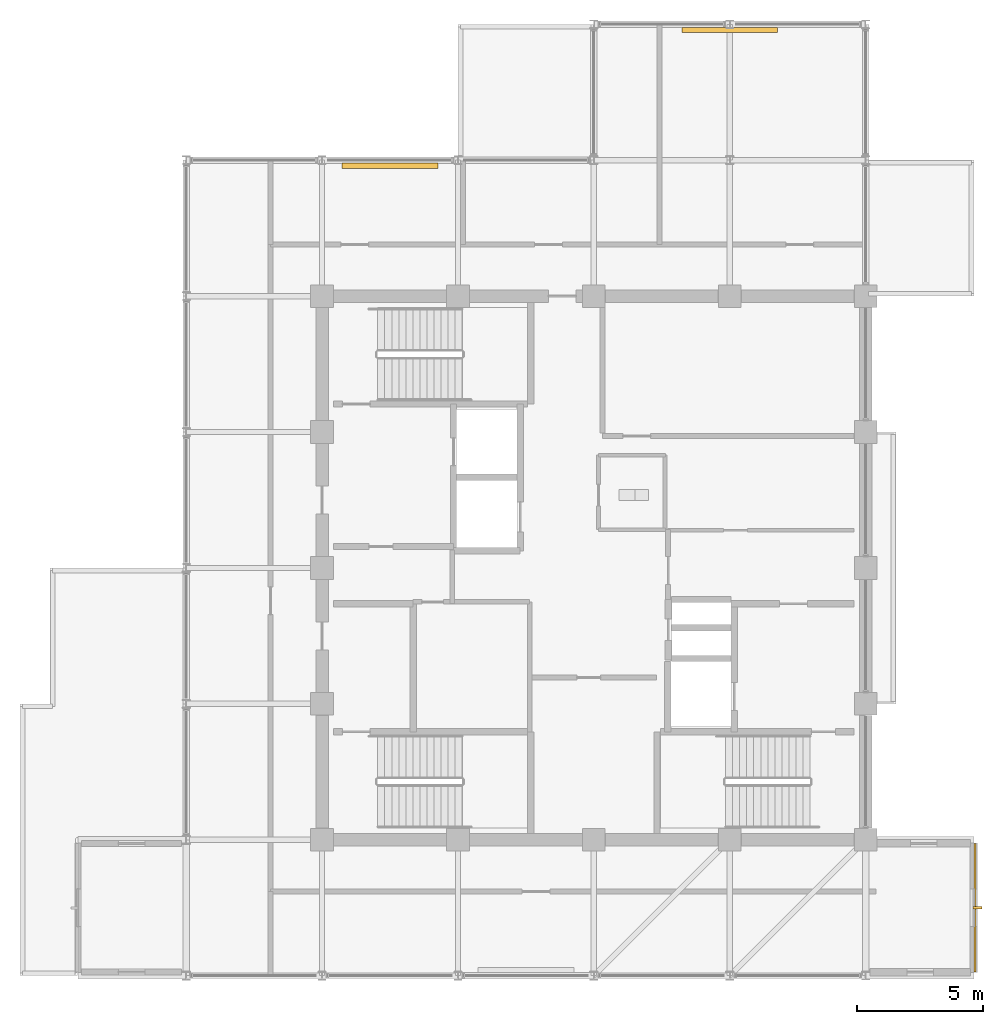
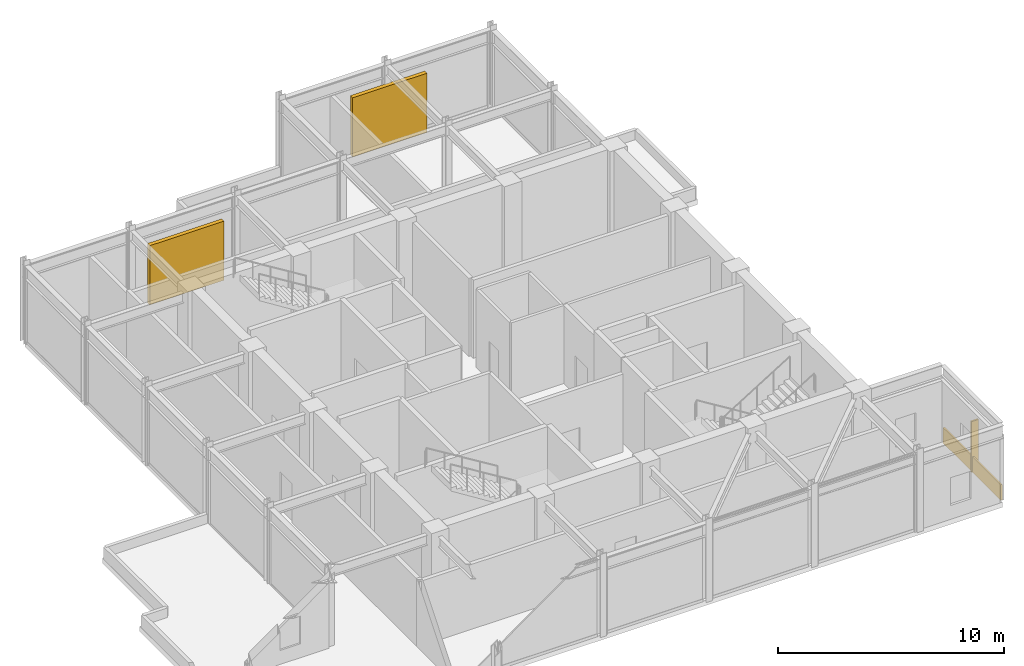
# One storey, part 17 of 18: 3 shading devices, 1 covering.
"""IFC4 building model written with IfcOpenShell, lengths in metres."""

from ifc_helpers import new_model, si_unit, direction, frame, origin, origin_2d, place, context, subcontext, project, spatial, rectangle, extrude, material, layer, layer_set, type_object, element, save


model = new_model("IFC4")

# Units and contexts
model_context = context("Model", 3, precision=1e-05, world=origin(), true_north=direction((0.0, 1.0)))
body_context = subcontext(model_context, "Body", "Model", "MODEL_VIEW")
ifc_project = project(units=[si_unit("LENGTHUNIT", "METRE"), si_unit("AREAUNIT", "SQUARE_METRE"), si_unit("VOLUMEUNIT", "CUBIC_METRE"), si_unit("PLANEANGLEUNIT", "RADIAN"), si_unit("MASSUNIT", "GRAM", prefix="KILO")], contexts=[model_context])

# Site, building, storey
site_placement = place(None, origin())
site = spatial("IfcSite", under=ifc_project, at=site_placement, CompositionType="ELEMENT")
building_placement = place(site_placement, origin())
building = spatial("IfcBuilding", under=site, at=building_placement, Name="Surkhivell Harbour Commons", CompositionType="ELEMENT")
storey_placement = place(building_placement, frame((0.0, 0.0, 351.0)))
storey = spatial("IfcBuildingStorey", under=building, at=storey_placement, Name="L91", CompositionType="ELEMENT", Elevation=351.0)

# Covering
ifc_material_1 = material(Name="Saffron-gold enamelled aluminium cassette panel", Category="aluminium")
ifc_layer = layer(ifc_material_1, 0.070068359375)
ifc_layer_set = layer_set([ifc_layer], Name="Saffron-gold enamelled aluminium cassette panel")
covering_type = type_object("IfcCoveringType", Name="COV-CLAD-SAF", PredefinedType="CLADDING", material=ifc_layer_set)
covering_placement = place(storey_placement, frame((15.139892578125, -13.5, 0.0), z_axis=(0.0, 0.0, 1.0), x_axis=(1.0, 0.0, 0.0)))
element("IfcCovering", 1, at=covering_placement, inside=storey, type_object=covering_type, Name="L91 Coloured-Panel Box Spandrel Cassette 01", PredefinedType="CLADDING", context=body_context, shape_type="SweptSolid", body=[
    extrude(rectangle(XDim=0.080078125, YDim=5.10009765625, at=origin_2d()), origin(), (0.0, 0.0, 1.0), 0.840087890625),
])

# Shading devices
ifc_material_2 = material(Name="Anodised pale-metal aluminium solar fin", Category="aluminium")
shading_device_type_1 = type_object("IfcShadingDeviceType", Name="SHD-FIN-VERT", PredefinedType="USERDEFINED", material=ifc_material_2)
shading_device_placement = place(storey_placement, frame((15.239990234375, -13.5, 0.0048828125), z_axis=(0.0, 0.0, 1.0), x_axis=(1.0, 0.0, 0.0)))
element("IfcShadingDevice", 2, at=shading_device_placement, inside=storey, type_object=shading_device_type_1, Name="L91 Coloured-Box Solar Fin 01", ObjectType="FIN", PredefinedType="USERDEFINED", context=body_context, shape_type="SweptSolid", body=[
    extrude(rectangle(XDim=0.360107421875, YDim=0.090087890625, at=origin_2d()), origin(), (0.0, 0.0, 1.0), 2.75),
])
ifc_material_3 = material(Name="Crown pale-metal storm louvre assembly", Category="aluminium")
shading_device_type_2 = type_object("IfcShadingDeviceType", Name="SHD-LOUV-CRN", PredefinedType="JALOUSIE", material=ifc_material_3)
for number, where, z_axis, x_axis, name in (
    (3, (5.39990234375, 21.3798828125, 0.0), (0.0, 0.0, 1.0), (1.0, 0.0, 0.0), "L91 Crown Acoustic Louvre Screen 01"),
    (4, (-8.10009765625, 15.97998046875, 0.0), (0.0, 0.0, 1.0), (1.0, 0.0, 0.0), "L91 Crown Acoustic Louvre Screen 03"),
):
    element("IfcShadingDevice", number, at=place(storey_placement, frame(where, z_axis=z_axis, x_axis=x_axis)), inside=storey, type_object=shading_device_type_2, Name=name, PredefinedType="JALOUSIE", context=body_context, shape_type="SweptSolid", body=[
        extrude(rectangle(XDim=3.800048828125, YDim=0.199951171875, at=origin_2d()), origin(), (0.0, 0.0, 1.0), 3.199951171875),
    ])

save(model, "model.ifc")
